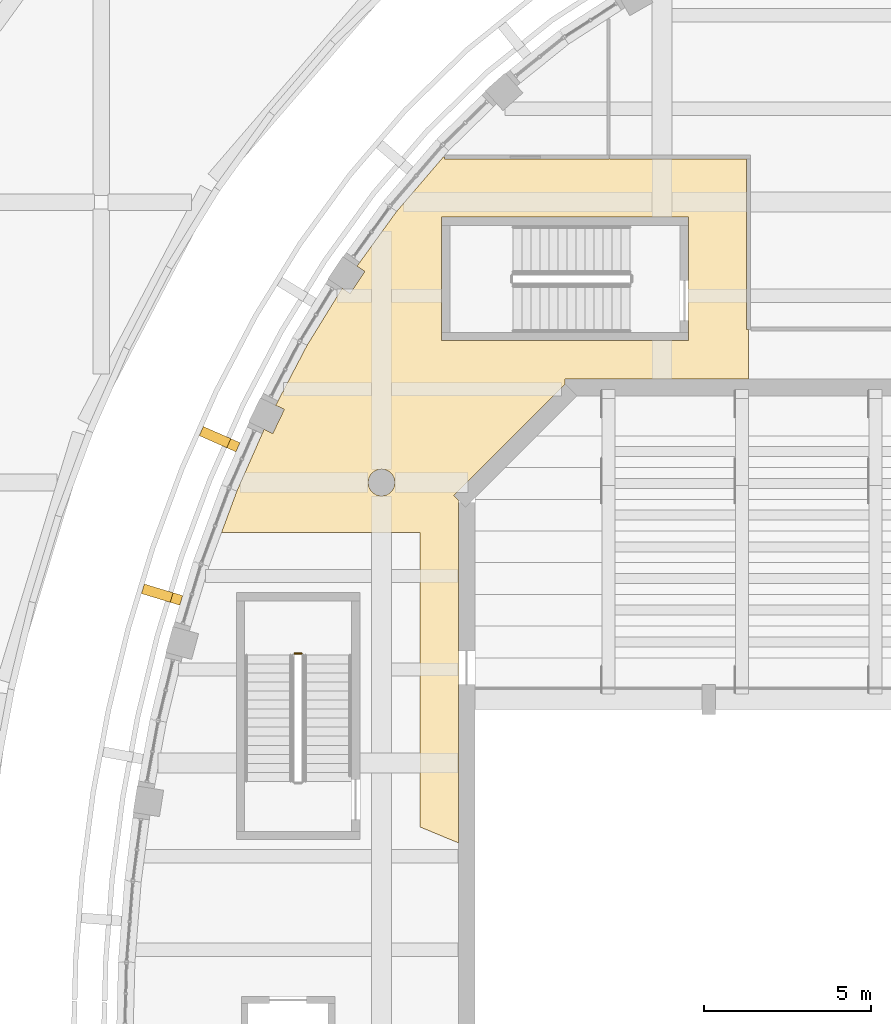
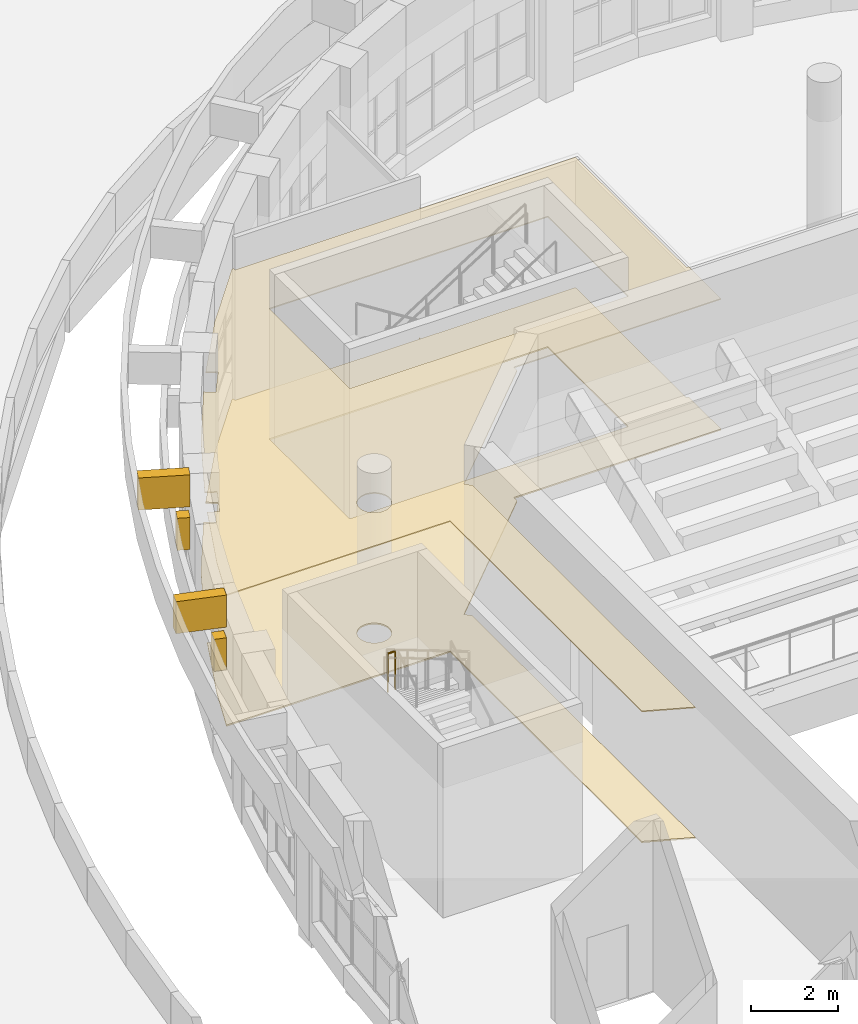
# One storey, part 74 of 79: 6 coverings, 1 railing.
"""IFC4 building model written with IfcOpenShell, lengths in metres."""

from ifc_helpers import new_model, si_unit, direction, frame, origin, origin_2d, place, context, subcontext, project, spatial, polyline, rectangle, circle, outline, extrude, material, layer, layer_set, type_object, element, save


model = new_model("IFC4")

# Units and contexts
model_context = context("Model", 3, precision=1e-05, world=origin(), true_north=direction((0.0, 1.0)))
body_context = subcontext(model_context, "Body", "Model", "MODEL_VIEW")
ifc_project = project(units=[si_unit("LENGTHUNIT", "METRE"), si_unit("AREAUNIT", "SQUARE_METRE"), si_unit("VOLUMEUNIT", "CUBIC_METRE"), si_unit("PLANEANGLEUNIT", "RADIAN"), si_unit("MASSUNIT", "GRAM", prefix="KILO")], contexts=[model_context])

# Site, building, storey
site_placement = place(None, origin())
site = spatial("IfcSite", under=ifc_project, at=site_placement, CompositionType="ELEMENT")
building_placement = place(site_placement, origin())
building = spatial("IfcBuilding", under=site, at=building_placement, Name="Larchfold Concert Hall", CompositionType="ELEMENT")
storey_placement = place(building_placement, frame((0.0, 0.0, 14.39990234375)))
storey = spatial("IfcBuildingStorey", under=building, at=storey_placement, Name="L03", CompositionType="ELEMENT", Elevation=14.39990234375)

# Coverings
ifc_material_1 = material(Name="Plasterboard ceiling lining")
ifc_layer_1 = layer(ifc_material_1, 0.030029296875)
ifc_layer_set_1 = layer_set([ifc_layer_1], Name="Plasterboard ceiling lining")
covering_type_1 = type_object("IfcCoveringType", Name="Ceiling suspended plasterboard 30", PredefinedType="CEILING", material=ifc_layer_set_1)
covering_1_placement = place(storey_placement, frame((0.0, 0.0, 3.670166015625)))
element("IfcCovering", 1, at=covering_1_placement, inside=storey, type_object=covering_type_1, Name="Ceiling Hall Foyer North West", PredefinedType="CEILING", context=body_context, shape_type="SweptSolid", body=[
    extrude(outline(polyline([(21.468017578125, 101.1494140625), (21.00634765625, 99.900146484375), (26.94775390625, 99.896484375), (26.949951171875, 91.08251953125), (28.10009765625, 90.60595703125), (28.100830078125, 100.8779296875), (27.962646484375, 101.01611328125), (31.300048828125, 104.353515625), (31.300048828125, 104.5), (36.799072265625, 104.5), (36.799072265625, 105.97998046875), (36.736572265625, 105.97998046875), (36.736572265625, 111.08642578125), (32.6240234375, 111.08642578125), (32.6201171875, 111.149169921875), (32.6201171875, 111.08642578125), (27.69091796875, 111.08642578125), (27.69091796875, 111.149169921875), (27.646240234375, 111.149169921875), (26.246337890625, 109.514892578125), (25.06494140625, 107.884033203125), (25.301513671875, 107.726318359375), (24.857666015625, 107.060791015625), (24.620361328125, 107.218994140625), (23.564208984375, 105.502685546875), (22.63037109375, 103.715576171875), (22.888671875, 103.591552734375), (22.5419921875, 102.870361328125), (22.283203125, 102.994873046875), (21.468017578125, 101.1494140625)]), holes=[polyline([(27.60009765625, 109.34423828125), (27.60595703125, 109.35009765625), (35.0, 109.35009765625), (35.0, 105.64990234375), (27.60009765625, 105.64990234375), (27.60009765625, 109.34423828125)]), polyline([(25.556640625, 101.08251953125), (25.482666015625, 101.156494140625), (25.45361328125, 101.199951171875), (25.41357421875, 101.29638671875), (25.403564453125, 101.34765625), (25.403564453125, 101.4521484375), (25.41357421875, 101.50341796875), (25.45361328125, 101.599853515625), (25.482666015625, 101.643310546875), (25.556640625, 101.71728515625), (25.64697265625, 101.76953125), (25.696533203125, 101.786376953125), (25.800048828125, 101.7998046875), (25.852294921875, 101.79638671875), (25.953125, 101.76953125), (26.0, 101.746337890625), (26.04345703125, 101.71728515625), (26.117431640625, 101.643310546875), (26.169677734375, 101.552978515625), (26.1865234375, 101.50341796875), (26.196533203125, 101.4521484375), (26.196533203125, 101.34765625), (26.1865234375, 101.29638671875), (26.146484375, 101.199951171875), (26.117431640625, 101.156494140625), (26.04345703125, 101.08251953125), (25.953125, 101.0302734375), (25.903564453125, 101.013427734375), (25.800048828125, 101.0), (25.747802734375, 101.00341796875), (25.64697265625, 101.0302734375), (25.556640625, 101.08251953125)])]), origin(), (0.0, 0.0, 1.0), 0.030029296875),
])
ifc_material_2 = material(Name="Polished terrazzo")
ifc_layer_2 = layer(ifc_material_2, 0.0400390625)
ifc_layer_set_2 = layer_set([ifc_layer_2], Name="Polished terrazzo")
covering_type_2 = type_object("IfcCoveringType", Name="Floor finish terrazzo 40", PredefinedType="FLOORING", material=ifc_layer_set_2)
covering_2_placement = place(storey_placement, origin())
element("IfcCovering", 2, at=covering_2_placement, inside=storey, type_object=covering_type_2, Name="Floor finish Hall Foyer North West", PredefinedType="FLOORING", context=body_context, shape_type="SweptSolid", body=[
    extrude(outline(polyline([(21.468017578125, 101.1494140625), (21.00634765625, 99.900146484375), (26.94775390625, 99.896484375), (26.949951171875, 91.08251953125), (28.10009765625, 90.60595703125), (28.100830078125, 100.8779296875), (27.962646484375, 101.01611328125), (31.300048828125, 104.353515625), (31.300048828125, 104.5), (36.799072265625, 104.5), (36.799072265625, 105.97998046875), (36.736572265625, 105.97998046875), (36.736572265625, 111.08642578125), (32.6240234375, 111.08642578125), (32.6201171875, 111.149169921875), (32.6201171875, 111.08642578125), (27.69091796875, 111.08642578125), (27.69091796875, 111.149169921875), (27.646240234375, 111.149169921875), (26.246337890625, 109.514892578125), (25.06494140625, 107.884033203125), (25.301513671875, 107.726318359375), (24.857666015625, 107.060791015625), (24.620361328125, 107.218994140625), (23.564208984375, 105.502685546875), (22.63037109375, 103.715576171875), (22.888671875, 103.591552734375), (22.5419921875, 102.870361328125), (22.283203125, 102.994873046875), (21.468017578125, 101.1494140625)]), holes=[polyline([(27.60009765625, 109.34423828125), (27.60595703125, 109.35009765625), (35.0, 109.35009765625), (35.0, 105.64990234375), (27.60009765625, 105.64990234375), (27.60009765625, 109.34423828125)]), polyline([(25.556640625, 101.08251953125), (25.482666015625, 101.156494140625), (25.45361328125, 101.199951171875), (25.41357421875, 101.29638671875), (25.403564453125, 101.34765625), (25.403564453125, 101.4521484375), (25.41357421875, 101.50341796875), (25.45361328125, 101.599853515625), (25.482666015625, 101.643310546875), (25.556640625, 101.71728515625), (25.64697265625, 101.76953125), (25.696533203125, 101.786376953125), (25.800048828125, 101.7998046875), (25.852294921875, 101.79638671875), (25.953125, 101.76953125), (26.0, 101.746337890625), (26.04345703125, 101.71728515625), (26.117431640625, 101.643310546875), (26.169677734375, 101.552978515625), (26.1865234375, 101.50341796875), (26.196533203125, 101.4521484375), (26.196533203125, 101.34765625), (26.1865234375, 101.29638671875), (26.146484375, 101.199951171875), (26.117431640625, 101.156494140625), (26.04345703125, 101.08251953125), (25.953125, 101.0302734375), (25.903564453125, 101.013427734375), (25.800048828125, 101.0), (25.747802734375, 101.00341796875), (25.64697265625, 101.0302734375), (25.556640625, 101.08251953125)])]), origin(), (0.0, 0.0, 1.0), 0.0400390625),
])
ifc_material_3 = material(Name="Galvanised steel bracket", Category="steel")
ifc_layer_3 = layer(ifc_material_3, 0.300048828125)
ifc_layer_set_3 = layer_set([ifc_layer_3], Name="Galvanised steel bracket")
covering_type_3 = type_object("IfcCoveringType", Name="Ring support bracket", PredefinedType="CLADDING", material=ifc_layer_set_3)
for number, where, z_axis, x_axis, name in (
    (3, (21.362060546875, 102.51806640625, 3.35009765625), (0.0, 0.0, 1.0), (-0.91470116954, 0.404130882813, 0.0), "Ring bracket BR-R06-16"),
    (4, (19.65625, 97.912353515625, 3.35009765625), (0.0, 0.0, 1.0), (-0.956854836506, 0.29056638115, 0.0), "Ring bracket BR-R06-17"),
):
    element("IfcCovering", number, at=place(storey_placement, frame(where, z_axis=z_axis, x_axis=x_axis)), inside=storey, type_object=covering_type_3, Name=name, PredefinedType="CLADDING", context=body_context, shape_type="SweptSolid", body=[
        extrude(rectangle(XDim=0.300048828125, YDim=0.300048828125, at=origin_2d()), origin(), (0.0, 0.0, 1.0), 0.89990234375),
    ])
for number, where, z_axis, x_axis, name in (
    (5, (20.950439453125, 102.699951171875, 4.550048828125), (0.0, 0.0, 1.0), (-0.91470116954, 0.404130882813, 0.0), "Ring bracket BR-R07-16"),
    (6, (19.2255859375, 98.04296875, 4.550048828125), (0.0, 0.0, 1.0), (-0.956854836506, 0.29056638115, 0.0), "Ring bracket BR-R07-17"),
):
    element("IfcCovering", number, at=place(storey_placement, frame(where, z_axis=z_axis, x_axis=x_axis)), inside=storey, type_object=covering_type_3, Name=name, PredefinedType="CLADDING", context=body_context, shape_type="SweptSolid", body=[
        extrude(rectangle(XDim=1.199951171875, YDim=0.300048828125, at=origin_2d()), origin(), (0.0, 0.0, 1.0), 0.89990234375),
    ])

# Railing
ifc_material_4 = material(Name="Stainless steel balustrade", Category="steel")
railing_type = type_object("IfcRailingType", Name="Stair guard 1100", PredefinedType="GUARDRAIL", material=ifc_material_4)
railing_placement = place(storey_placement, frame((23.39990234375, 96.280029296875, 2.400146484375)))
element("IfcRailing", 7, at=railing_placement, inside=storey, type_object=railing_type, Name="Guard GR0018", PredefinedType="GUARDRAIL", context=body_context, shape_type="SweptSolid", body=[
    extrude(circle(Radius=0.02392578125, at=origin_2d()), frame((0.0, 0.0, 1.076171875), z_axis=(-1.0, 0.0, 0.0), x_axis=(0.0, -1.0, 0.0)), (0.0, 0.0, 1.0), 0.199951171875),
    extrude(circle(Radius=0.02099609375, at=origin_2d()), origin(), (0.0, 0.0, 1.0), 1.052001953125),
    extrude(circle(Radius=0.02099609375, at=origin_2d()), frame((-0.199951171875, 0.0, 0.0)), (0.0, 0.0, 1.0), 1.052001953125),
])

save(model, "model.ifc")
